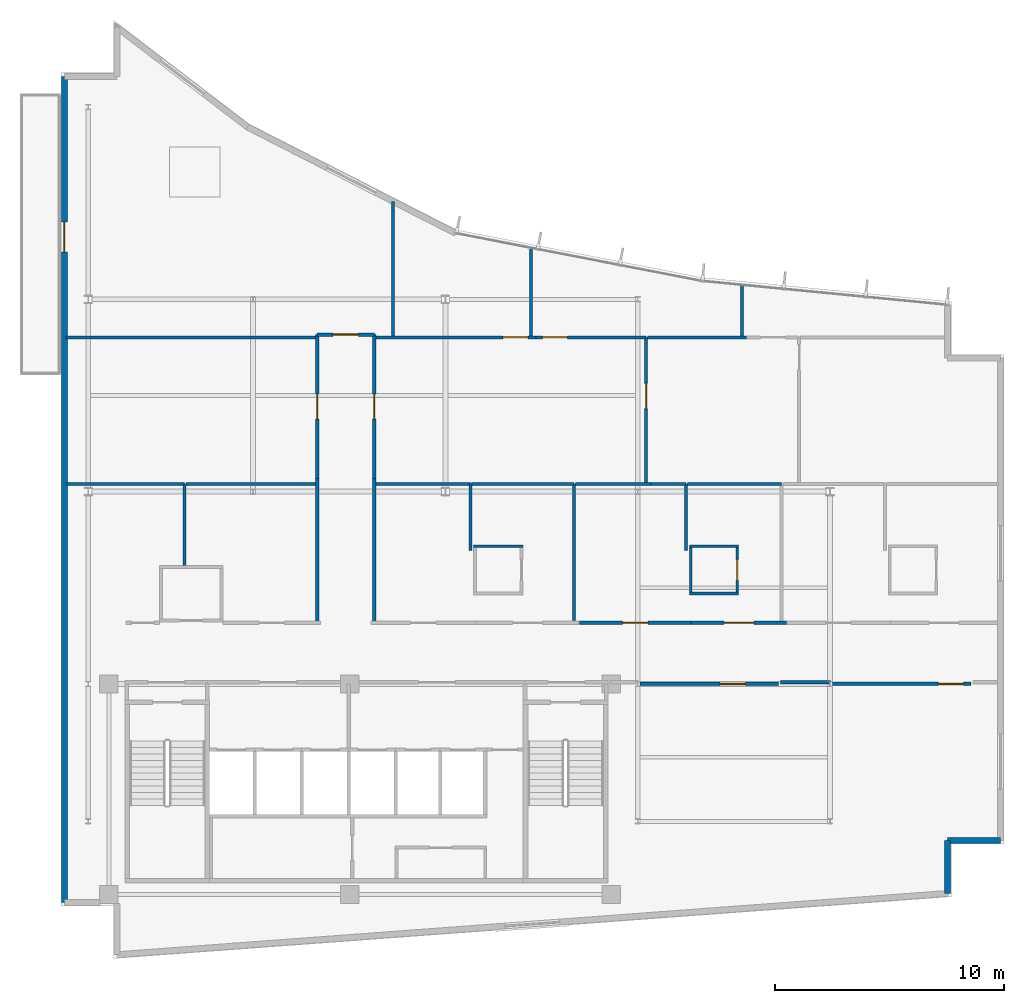
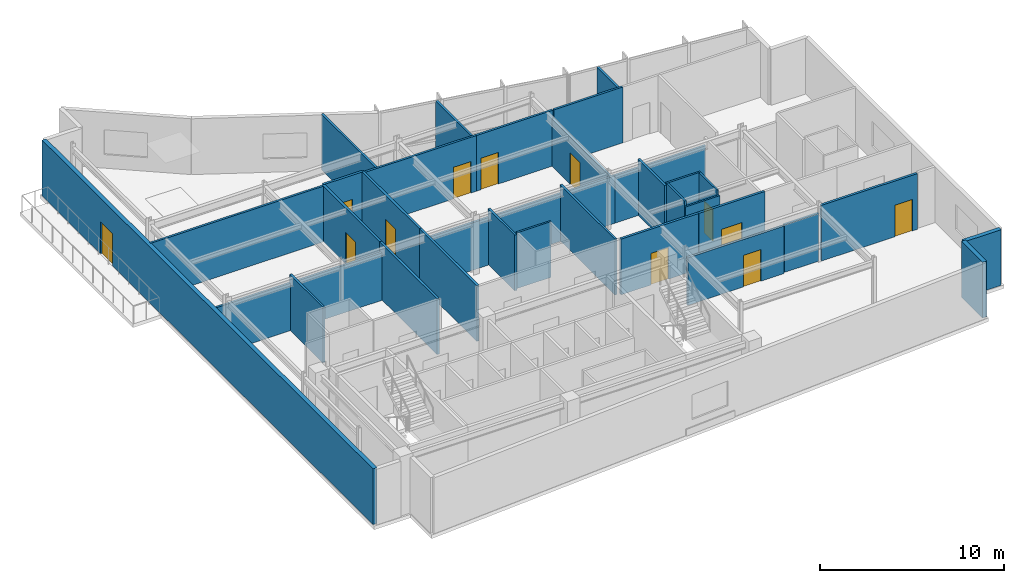
# One storey, part 11 of 15: 37 walls, 12 doors, 12 openings.
"""IFC4 building model written with IfcOpenShell, lengths in metres."""

import ifcopenshell
import ifcopenshell.guid

model = None  # the IFC model being written
_history = None  # IfcOwnerHistory: only IFC2X3 demands one
_inside = {}  # id of a spatial element -> (the spatial element, [elements in it])
_under = {}  # id of a project, library or spatial element -> (it, [spatial elements below it])
_declared = {}  # id of a project -> (the project, [libraries it declares])
_typed = {}  # id of a type object -> (the type object, [elements of that type])
_made_of = {}  # id of a material, layer set ... -> (it, [elements and type objects made of it])


def new_model(schema):
    """Start an empty IFC model of exactly this schema.

    Asked for "IFC4X3", IfcOpenShell would pick the latest addendum, in which some entities
    have other attributes; the version numbers below select the first issue.
    IFC2X3 requires an IfcOwnerHistory on every rooted entity: one is made here for all.
    """
    global model, _history
    if schema == "IFC4X3":
        model = ifcopenshell.file(schema_version=(4, 3, 0, 0))
    else:
        model = ifcopenshell.file(schema=schema)
    _inside.clear()
    _under.clear()
    _declared.clear()
    _typed.clear()
    _made_of.clear()
    _history = None
    if model.schema == "IFC2X3":
        org = make("IfcOrganization", Name="unknown")
        user = make(
            "IfcPersonAndOrganization",
            ThePerson=make("IfcPerson", FamilyName="unknown"),
            TheOrganization=org,
        )
        app = make(
            "IfcApplication",
            ApplicationDeveloper=org,
            Version="unknown",
            ApplicationFullName="unknown",
            ApplicationIdentifier="unknown",
        )
        _history = make(
            "IfcOwnerHistory",
            OwningUser=user,
            OwningApplication=app,
            ChangeAction="ADDED",
            CreationDate=0,
        )
    return model


def make(cls, **values):
    """One entity of the class cls with the attributes given. An attribute that is None is left unset."""
    return model.create_entity(
        cls, **{name: value for name, value in values.items() if value is not None}
    )


def rooted(cls, **values):
    """An entity with a GlobalId (a new one), such as an element, a storey or a relation."""
    return make(cls, GlobalId=ifcopenshell.guid.new(), OwnerHistory=_history, **values)


def si_unit(unit_type, name, prefix=None):
    """IfcSIUnit, for example si_unit("LENGTHUNIT", "METRE", prefix="MILLI")."""
    return make("IfcSIUnit", UnitType=unit_type, Prefix=prefix, Name=name)


def assignment(units):
    """IfcUnitAssignment: the units of a project."""
    return None if units is None else make("IfcUnitAssignment", Units=units)


def point(xyz):
    """IfcCartesianPoint."""
    return None if xyz is None else make("IfcCartesianPoint", Coordinates=xyz)


def direction(xyz):
    """IfcDirection."""
    return None if xyz is None else make("IfcDirection", DirectionRatios=xyz)


def frame(location, z_axis=None, x_axis=None):
    """IfcAxis2Placement3D, a coordinate frame: its origin and axes. An axis left out is left unset."""
    return make(
        "IfcAxis2Placement3D",
        Location=point(location),
        Axis=direction(z_axis),
        RefDirection=direction(x_axis),
    )


def frame_2d(location, x_axis=None):
    """IfcAxis2Placement2D, a coordinate frame in the plane: its origin and x axis."""
    return make(
        "IfcAxis2Placement2D", Location=point(location), RefDirection=direction(x_axis)
    )


def origin():
    """The frame at (0, 0, 0) with its axes left unset."""
    return frame((0.0, 0.0, 0.0))


def place(relative_to, where):
    """IfcLocalPlacement: puts the frame where relative to a parent placement (None: the world)."""
    return make(
        "IfcLocalPlacement", PlacementRelTo=relative_to, RelativePlacement=where
    )


def context(
    kind, dimensions, precision=None, world=None, true_north=None, identifier=None
):
    """IfcGeometricRepresentationContext, for example the 3D "Model" context."""
    return make(
        "IfcGeometricRepresentationContext",
        ContextIdentifier=identifier,
        ContextType=kind,
        CoordinateSpaceDimension=dimensions,
        Precision=precision,
        WorldCoordinateSystem=world,
        TrueNorth=true_north,
    )


def subcontext(parent, identifier, kind, view, scale=None):
    """IfcGeometricRepresentationSubContext, for example "Body" below "Model"."""
    return make(
        "IfcGeometricRepresentationSubContext",
        ContextIdentifier=identifier,
        ContextType=kind,
        ParentContext=parent,
        TargetScale=scale,
        TargetView=view,
    )


def project(units=None, contexts=None):
    """IfcProject with its units and contexts."""
    return rooted(
        "IfcProject",
        Name="project",
        RepresentationContexts=contexts,
        UnitsInContext=assignment(units),
    )


def spatial(cls, under=None, at=None, **own):
    """A site, building, storey or space (cls), placed at a placement, below another one or the project."""
    s = rooted(cls, ObjectPlacement=at, **own)
    if under is not None:
        _under.setdefault(under.id(), (under, []))[1].append(s)
    return s


def profile(cls, at=None, kind="AREA", **sizes):
    """A parametric profile (cls). Its sizes go by their IFC names, for example OverallWidth=200.0."""
    return make(cls, ProfileType=kind, Position=at, **sizes)


def rectangle(**sizes):
    """IfcRectangleProfileDef."""
    return profile("IfcRectangleProfileDef", **sizes)


def extrude(swept, where, along, depth):
    """IfcExtrudedAreaSolid: the profile swept, set in the frame where, extruded along a direction by depth."""
    return make(
        "IfcExtrudedAreaSolid",
        SweptArea=swept,
        Position=where,
        ExtrudedDirection=direction(along),
        Depth=depth,
    )


def shape(context_of_items, identifier, shape_type, items):
    """IfcShapeRepresentation: the items that make up one representation, for example the "Body"."""
    return make(
        "IfcShapeRepresentation",
        ContextOfItems=context_of_items,
        RepresentationIdentifier=identifier,
        RepresentationType=shape_type,
        Items=items,
    )


def material(Name=None, Category=None):
    """IfcMaterial."""
    return make("IfcMaterial", Name=Name, Category=Category)


def layer(
    of_material, thickness, ventilated=None, Name=None, Category=None, Priority=None
):
    """IfcMaterialLayer: one layer of a wall or slab, of a material (None: an air gap)."""
    return make(
        "IfcMaterialLayer",
        Material=of_material,
        LayerThickness=thickness,
        IsVentilated=ventilated,
        Name=Name,
        Category=Category,
        Priority=Priority,
    )


def layer_set(layers, Name=None):
    """IfcMaterialLayerSet."""
    return make("IfcMaterialLayerSet", MaterialLayers=layers, LayerSetName=Name)


def made_of(thing, what):
    """Note that an element or type object is made of a material, layer set ...; save() writes the relation."""
    if what is not None:
        _made_of.setdefault(what.id(), (what, []))[1].append(thing)
    return thing


def type_object(cls, material=None, **own):
    """A type object (cls), such as IfcWallType, which elements share."""
    return made_of(rooted(cls, **own), material)


def element(
    cls,
    number,
    at=None,
    inside=None,
    cuts=None,
    type_object=None,
    material=None,
    context=None,
    identifier="Body",
    shape_type=None,
    held_by="IfcProductDefinitionShape",
    body=None,
    shapes=None,
    **own,
):
    """One element of the class cls, such as IfcWall. Its Tag is "e" and its number.

    at: its placement. inside: the storey or other place that contains it. cuts: it is an
    opening in that element (IfcRelVoidsElement). A single representation is given by context,
    identifier, shape_type and body (its items); several are given by shapes. held_by: the class
    of the entity that holds the representations. save() writes the other relations.
    """
    e = rooted(cls, Tag="e%d" % number, ObjectPlacement=at, **own)
    if body is not None:
        shapes = [shape(context, identifier, shape_type, body)]
    if shapes is not None:
        e.Representation = make(held_by, Representations=shapes)
    if inside is not None:
        _inside.setdefault(inside.id(), (inside, []))[1].append(e)
    if cuts is not None:
        rooted(
            "IfcRelVoidsElement", RelatingBuildingElement=cuts, RelatedOpeningElement=e
        )
    if type_object is not None:
        _typed.setdefault(type_object.id(), (type_object, []))[1].append(e)
    return made_of(e, material)


def fill(opening, filler):
    """IfcRelFillsElement: the door or window that sits in an opening."""
    return rooted(
        "IfcRelFillsElement",
        RelatingOpeningElement=opening,
        RelatedBuildingElement=filler,
    )


def aggregate(whole, parts):
    """IfcRelAggregates: a whole, such as a stair, and the parts it consists of."""
    return rooted("IfcRelAggregates", RelatingObject=whole, RelatedObjects=parts)


def save(model, path):
    """Write the relations noted so far, then the file.

    IfcRelAggregates (storeys below a building ...), IfcRelContainedInSpatialStructure (elements
    in a storey), IfcRelDefinesByType, IfcRelAssociatesMaterial and IfcRelDeclares: one each for
    every whole, place, type object, material and project.
    """
    for whole, parts in _under.values():
        aggregate(whole, parts)
    for where, things in _inside.values():
        rooted(
            "IfcRelContainedInSpatialStructure",
            RelatedElements=things,
            RelatingStructure=where,
        )
    for kind, things in _typed.values():
        rooted("IfcRelDefinesByType", RelatedObjects=things, RelatingType=kind)
    for what, things in _made_of.values():
        rooted("IfcRelAssociatesMaterial", RelatedObjects=things, RelatingMaterial=what)
    for by, libraries in _declared.values():
        rooted("IfcRelDeclares", RelatingContext=by, RelatedDefinitions=libraries)
    model.write(path)


model = new_model("IFC4")

# Units and contexts
model_context = context("Model", 3, precision=1e-05, world=origin(), true_north=direction((0.0, 1.0)))
body_context = subcontext(model_context, "Body", "Model", "MODEL_VIEW")
ifc_project = project(units=[si_unit("LENGTHUNIT", "METRE"), si_unit("AREAUNIT", "SQUARE_METRE"), si_unit("VOLUMEUNIT", "CUBIC_METRE"), si_unit("PLANEANGLEUNIT", "RADIAN"), si_unit("MASSUNIT", "GRAM", prefix="KILO")], contexts=[model_context])

# Site, building, storey
site_placement = place(None, origin())
site = spatial("IfcSite", under=ifc_project, at=site_placement, CompositionType="ELEMENT")
building_placement = place(site_placement, origin())
building = spatial("IfcBuilding", under=site, at=building_placement, Name="Varnakote Quay Hospital", CompositionType="ELEMENT")
storey_placement = place(building_placement, frame((0.0, 0.0, 284.199951171875)))
storey = spatial("IfcBuildingStorey", under=building, at=storey_placement, Name="L70", CompositionType="ELEMENT", Elevation=284.199951171875)

# Walls
ifc_material_1 = material(Name="Fire-rated acoustic gypsum stud wall", Category="gypsum")
ifc_layer_1 = layer(ifc_material_1, 0.159912109375)
ifc_layer_set_1 = layer_set([ifc_layer_1], Name="Fire-rated acoustic gypsum stud wall")
wall_type_1 = type_object("IfcWallType", Name="WL-COMP-160", PredefinedType="PARTITIONING", material=ifc_layer_set_1)
wall_1_placement = place(storey_placement, frame((31.439208984375, 12.080078125, 0.0), z_axis=(0.0, 0.0, 1.0), x_axis=(1.0, 0.0, 0.0)))
element("IfcWall", 1, at=wall_1_placement, inside=storey, type_object=wall_type_1, Name="L70 Corridor South Gap Wall", PredefinedType="PARTITIONING", context=body_context, shape_type="SweptSolid", body=[
    extrude(rectangle(XDim=2.174072265625, YDim=0.159912109375, at=frame_2d((1.0869140625, 0.0))), origin(), (0.0, 0.0, 1.0), 3.156982421875),
])
ifc_material_2 = material(Name="Moisture-resistant bathroom partition", Category="gypsum")
ifc_layer_2 = layer(ifc_material_2, 0.114990234375)
ifc_layer_set_2 = layer_set([ifc_layer_2], Name="Moisture-resistant bathroom partition")
wall_type_2 = type_object("IfcWallType", Name="WL-ENS-115", PredefinedType="PARTITIONING", material=ifc_layer_set_2)
wall_2_placement = place(storey_placement, frame((18.034912109375, 18.017578125, 0.0), z_axis=(0.0, 0.0, 1.0), x_axis=(1.0, 0.0, 0.0)))
element("IfcWall", 2, at=wall_2_placement, inside=storey, type_object=wall_type_2, Name="L70 Inpatient En-Suite Bathroom 01 N Wall", PredefinedType="PARTITIONING", context=body_context, shape_type="SweptSolid", body=[
    extrude(rectangle(XDim=2.150146484375, YDim=0.114990234375, at=frame_2d((1.0751953125, 0.0))), origin(), (0.0, 0.0, 1.0), 3.7099609375),
])
wall_3_placement = place(storey_placement, frame((27.455078125, 15.952392578125, 0.0), z_axis=(0.0, 0.0, 1.0), x_axis=(1.0, 0.0, 0.0)))
element("IfcWall", 3, at=wall_3_placement, inside=storey, type_object=wall_type_2, Name="L70 Inpatient En-Suite Bathroom 02 S Wall", PredefinedType="PARTITIONING", context=body_context, shape_type="SweptSolid", body=[
    extrude(rectangle(XDim=2.14990234375, YDim=0.114990234375, at=frame_2d((1.074951171875, 0.0))), origin(), (0.0, 0.0, 1.0), 3.381103515625),
])
wall_4_placement = place(storey_placement, frame((27.455078125, 18.017578125, 0.0), z_axis=(0.0, 0.0, 1.0), x_axis=(1.0, 0.0, 0.0)))
element("IfcWall", 4, at=wall_4_placement, inside=storey, type_object=wall_type_2, Name="L70 Inpatient En-Suite Bathroom 02 N Wall", PredefinedType="PARTITIONING", context=body_context, shape_type="SweptSolid", body=[
    extrude(rectangle(XDim=2.14990234375, YDim=0.114990234375, at=frame_2d((1.074951171875, 0.0))), origin(), (0.0, 0.0, 1.0), 3.7099609375),
])
wall_5_placement = place(storey_placement, frame((27.512451171875, 16.010009765625, 0.0), z_axis=(0.0, 0.0, 1.0), x_axis=(0.0, 1.0, 0.0)))
element("IfcWall", 5, at=wall_5_placement, inside=storey, type_object=wall_type_2, Name="L70 Inpatient En-Suite Bathroom 02 W Wall", PredefinedType="PARTITIONING", context=body_context, shape_type="SweptSolid", body=[
    extrude(rectangle(XDim=1.949951171875, YDim=0.114990234375, at=frame_2d((0.97509765625, 0.0))), origin(), (0.0, 0.0, 1.0), 3.7099609375),
])

# Wall, opening, door
wall_6_placement = place(storey_placement, frame((29.547607421875, 16.010009765625, 0.0), z_axis=(0.0, 0.0, 1.0), x_axis=(0.0, 1.0, 0.0)))
wall_6 = element("IfcWall", 6, at=wall_6_placement, inside=storey, type_object=wall_type_2, Name="L70 Inpatient En-Suite Bathroom 02 E Wall", PredefinedType="PARTITIONING", context=body_context, shape_type="SweptSolid", body=[
    extrude(rectangle(XDim=1.949951171875, YDim=0.114990234375, at=frame_2d((0.97509765625, 0.0))), origin(), (0.0, 0.0, 1.0), 3.7099609375),
])
opening_1_placement = place(wall_6_placement, frame((0.514892578125, 0.0, 0.0)))
opening_1 = element("IfcOpeningElement", 7, at=opening_1_placement, cuts=wall_6, Name="Opening D-L70-ENS02", PredefinedType="OPENING", context=body_context, shape_type="SweptSolid", body=[
    extrude(rectangle(XDim=0.919921875, YDim=2.10009765625, at=frame_2d((0.4599609375, 1.050048828125))), frame((0.0, 0.0673828125, 0.0), z_axis=(0.0, -1.0, 0.0), x_axis=(1.0, 0.0, 0.0)), (0.0, 0.0, 1.0), 0.135009765625),
])
ifc_material_3 = material(Name="Moisture-sealed en-suite bathroom door")
door_type_1 = type_object("IfcDoorType", Name="DR-ENS-920x2100", OperationType="NOTDEFINED", PredefinedType="DOOR", material=ifc_material_3)
door_1_placement = place(opening_1_placement, origin())
door_1 = element("IfcDoor", 8, at=door_1_placement, inside=storey, type_object=door_type_1, Name="L70 Inpatient En-Suite Bathroom 02 Door", OperationType="SINGLE_SWING_RIGHT", OverallHeight=2.10009765625, OverallWidth=0.919921875, PredefinedType="DOOR", context=body_context, shape_type="SweptSolid", body=[
    extrude(rectangle(XDim=0.919921875, YDim=2.10009765625, at=frame_2d((0.4599609375, 1.050048828125))), frame((0.0, 0.02490234375, 0.0), z_axis=(0.0, -1.0, 0.0), x_axis=(1.0, 0.0, 0.0)), (0.0, 0.0, 1.0), 0.050048828125),
])
fill(opening_1, door_1)

# Walls
ifc_material_4 = material(Name="Precast concrete N50 (f'c 50 MPa)", Category="concrete")
ifc_layer_3 = layer(ifc_material_4, 0.260009765625)
ifc_layer_set_3 = layer_set([ifc_layer_3], Name="Precast concrete N50 (f'c 50 MPa)")
wall_type_3 = type_object("IfcWallType", Name="WL-EXT-BRICK-260", PredefinedType="STANDARD", material=ifc_layer_set_3)
wall_7_placement = place(storey_placement, frame((38.739990234375, 2.8486328125, 0.0), z_axis=(0.0, 0.0, 1.0), x_axis=(0.0, 1.0, 0.0)))
element("IfcWall", 9, at=wall_7_placement, inside=storey, type_object=wall_type_3, Name="L70 Brick-Faced Precast Exterior Wall", PredefinedType="STANDARD", context=body_context, shape_type="SweptSolid", body=[
    extrude(rectangle(XDim=2.311279296875, YDim=0.260009765625, at=frame_2d((1.15576171875, 0.0))), origin(), (0.0, 0.0, 1.0), 3.7099609375),
])
wall_8_placement = place(storey_placement, frame((38.739990234375, 5.159912109375, 0.0), z_axis=(0.0, 0.0, 1.0), x_axis=(1.0, 0.0, 0.0)))
element("IfcWall", 10, at=wall_8_placement, inside=storey, type_object=wall_type_3, Name="L70 Brick-Faced Precast Exterior Wall", PredefinedType="STANDARD", context=body_context, shape_type="SweptSolid", body=[
    extrude(rectangle(XDim=2.300048828125, YDim=0.260009765625, at=frame_2d((1.14990234375, 0.0))), origin(), (0.0, 0.0, 1.0), 3.7099609375),
])

# Wall, opening, door
wall_9_placement = place(storey_placement, frame((0.159912109375, 38.5400390625, 0.0), z_axis=(0.0, 0.0, 1.0), x_axis=(0.0, -1.0, 0.0)))
wall_9 = element("IfcWall", 11, at=wall_9_placement, inside=storey, type_object=wall_type_3, Name="L70 Healing Terrace Portal Brick Wall", PredefinedType="STANDARD", context=body_context, shape_type="SweptSolid", body=[
    extrude(rectangle(XDim=36.080078125, YDim=0.260009765625, at=frame_2d((18.0400390625, 0.0))), origin(), (0.0, 0.0, 1.0), 3.7099609375),
])
opening_2_placement = place(wall_9_placement, frame((6.365478515625, 0.0, 0.0)))
opening_2 = element("IfcOpeningElement", 12, at=opening_2_placement, cuts=wall_9, Name="Opening DT-L70", PredefinedType="OPENING", context=body_context, shape_type="SweptSolid", body=[
    extrude(rectangle(XDim=1.300048828125, YDim=2.14990234375, at=frame_2d((0.64990234375, 1.074951171875))), frame((0.0, 0.139892578125, 0.0), z_axis=(0.0, -1.0, 0.0), x_axis=(1.0, 0.0, 0.0)), (0.0, 0.0, 1.0), 0.280029296875),
])
ifc_material_5 = material(Name="Anodised aluminium glazed terrace door", Category="aluminium")
door_type_2 = type_object("IfcDoorType", Name="DR-EXT-TERR-1300x2150", OperationType="NOTDEFINED", PredefinedType="DOOR", material=ifc_material_5)
door_2_placement = place(opening_2_placement, origin())
door_2 = element("IfcDoor", 13, at=door_2_placement, inside=storey, type_object=door_type_2, Name="L70 Waterfront Healing Terrace Door", OperationType="SINGLE_SWING_LEFT", OverallHeight=2.14990234375, OverallWidth=1.300048828125, PredefinedType="DOOR", context=body_context, shape_type="SweptSolid", body=[
    extrude(rectangle(XDim=1.300048828125, YDim=2.14990234375, at=frame_2d((0.64990234375, 1.074951171875))), frame((0.0, 0.02490234375, 0.0), z_axis=(0.0, -1.0, 0.0), x_axis=(1.0, 0.0, 0.0)), (0.0, 0.0, 1.0), 0.050048828125),
])
fill(opening_2, door_2)

# Walls
ifc_material_6 = material(Name="Smoke-proof clinical partition", Category="gypsum")
ifc_layer_4 = layer(ifc_material_6, 0.135009765625)
ifc_layer_set_4 = layer_set([ifc_layer_4], Name="Smoke-proof clinical partition")
wall_type_4 = type_object("IfcWallType", Name="WL-SMOKE-135", PredefinedType="PARTITIONING", material=ifc_layer_set_4)
wall_10_placement = place(storey_placement, frame((5.409912109375, 17.139892578125, 0.0), z_axis=(0.0, 0.0, 1.0), x_axis=(0.0, 1.0, 0.0)))
element("IfcWall", 14, at=wall_10_placement, inside=storey, type_object=wall_type_4, Name="L70 Clinical Interior Partition", PredefinedType="PARTITIONING", context=body_context, shape_type="SweptSolid", body=[
    extrude(rectangle(XDim=3.60009765625, YDim=0.135009765625, at=frame_2d((1.800048828125, 0.0))), origin(), (0.0, 0.0, 1.0), 3.7099609375),
])
wall_11_placement = place(storey_placement, frame((5.409912109375, 20.739990234375, 0.0), z_axis=(0.0, 0.0, 1.0), x_axis=(-1.0, 0.0, 0.0)))
element("IfcWall", 15, at=wall_11_placement, inside=storey, type_object=wall_type_4, Name="L70 Clinical Interior Partition", PredefinedType="PARTITIONING", context=body_context, shape_type="SweptSolid", body=[
    extrude(rectangle(XDim=5.169921875, YDim=0.135009765625, at=frame_2d((2.5849609375, 0.0))), origin(), (0.0, 0.0, 1.0), 3.156982421875),
])
wall_12_placement = place(storey_placement, frame((11.1201171875, 20.739990234375, 0.0), z_axis=(0.0, 0.0, 1.0), x_axis=(-1.0, 0.0, 0.0)))
element("IfcWall", 16, at=wall_12_placement, inside=storey, type_object=wall_type_4, Name="L70 Clinical Interior Partition", PredefinedType="PARTITIONING", context=body_context, shape_type="SweptSolid", body=[
    extrude(rectangle(XDim=5.652587890625, YDim=0.135009765625, at=frame_2d((2.826171875, 0.0))), origin(), (0.0, 0.0, 1.0), 3.156982421875),
])
wall_13_placement = place(storey_placement, frame((17.889892578125, 17.83251953125, 0.0), z_axis=(0.0, 0.0, 1.0), x_axis=(0.0, 1.0, 0.0)))
element("IfcWall", 17, at=wall_13_placement, inside=storey, type_object=wall_type_4, Name="L70 Clinical Interior Partition", PredefinedType="PARTITIONING", context=body_context, shape_type="SweptSolid", body=[
    extrude(rectangle(XDim=2.907470703125, YDim=0.135009765625, at=frame_2d((1.45361328125, 0.0))), origin(), (0.0, 0.0, 1.0), 3.7099609375),
])
wall_14_placement = place(storey_placement, frame((17.889892578125, 20.739990234375, 0.0), z_axis=(0.0, 0.0, 1.0), x_axis=(-1.0, 0.0, 0.0)))
element("IfcWall", 18, at=wall_14_placement, inside=storey, type_object=wall_type_4, Name="L70 Clinical Interior Partition", PredefinedType="PARTITIONING", context=body_context, shape_type="SweptSolid", body=[
    extrude(rectangle(XDim=4.10986328125, YDim=0.135009765625, at=frame_2d((2.054931640625, 0.0))), origin(), (0.0, 0.0, 1.0), 3.156982421875),
])
wall_15_placement = place(storey_placement, frame((22.419921875, 14.760009765625, 0.0), z_axis=(0.0, 0.0, 1.0), x_axis=(0.0, 1.0, 0.0)))
element("IfcWall", 19, at=wall_15_placement, inside=storey, type_object=wall_type_4, Name="L70 Clinical Interior Partition", PredefinedType="PARTITIONING", context=body_context, shape_type="SweptSolid", body=[
    extrude(rectangle(XDim=5.97998046875, YDim=0.135009765625, at=frame_2d((2.989990234375, 0.0))), origin(), (0.0, 0.0, 1.0), 3.7099609375),
])
wall_16_placement = place(storey_placement, frame((22.419921875, 20.739990234375, 0.0), z_axis=(0.0, 0.0, 1.0), x_axis=(-1.0, 0.0, 0.0)))
element("IfcWall", 20, at=wall_16_placement, inside=storey, type_object=wall_type_4, Name="L70 Clinical Interior Partition", PredefinedType="PARTITIONING", context=body_context, shape_type="SweptSolid", body=[
    extrude(rectangle(XDim=4.472412109375, YDim=0.135009765625, at=frame_2d((2.236328125, 0.0))), origin(), (0.0, 0.0, 1.0), 3.156982421875),
])
wall_17_placement = place(storey_placement, frame((27.31005859375, 17.83251953125, 0.0), z_axis=(0.0, 0.0, 1.0), x_axis=(0.0, 1.0, 0.0)))
element("IfcWall", 21, at=wall_17_placement, inside=storey, type_object=wall_type_4, Name="L70 Clinical Interior Partition", PredefinedType="PARTITIONING", context=body_context, shape_type="SweptSolid", body=[
    extrude(rectangle(XDim=2.907470703125, YDim=0.135009765625, at=frame_2d((1.45361328125, 0.0))), origin(), (0.0, 0.0, 1.0), 3.7099609375),
])
wall_18_placement = place(storey_placement, frame((25.777587890625, 20.739990234375, 0.0), z_axis=(0.0, 0.0, 1.0), x_axis=(-1.0, 0.0, 0.0)))
element("IfcWall", 22, at=wall_18_placement, inside=storey, type_object=wall_type_4, Name="L70 Clinical Interior Partition", PredefinedType="PARTITIONING", context=body_context, shape_type="SweptSolid", body=[
    extrude(rectangle(XDim=3.300048828125, YDim=0.135009765625, at=frame_2d((1.64990234375, 0.0))), origin(), (0.0, 0.0, 1.0), 3.156982421875),
])
wall_19_placement = place(storey_placement, frame((27.31005859375, 20.739990234375, 0.0), z_axis=(0.0, 0.0, 1.0), x_axis=(-1.0, 0.0, 0.0)))
element("IfcWall", 23, at=wall_19_placement, inside=storey, type_object=wall_type_4, Name="L70 Clinical Interior Partition", PredefinedType="PARTITIONING", context=body_context, shape_type="SweptSolid", body=[
    extrude(rectangle(XDim=1.530517578125, YDim=0.135009765625, at=frame_2d((0.76513671875, 0.0))), origin(), (0.0, 0.0, 1.0), 3.156982421875),
])
wall_20_placement = place(storey_placement, frame((31.47998046875, 20.739990234375, 0.0), z_axis=(0.0, 0.0, 1.0), x_axis=(-1.0, 0.0, 0.0)))
element("IfcWall", 24, at=wall_20_placement, inside=storey, type_object=wall_type_4, Name="L70 Clinical Interior Partition", PredefinedType="PARTITIONING", context=body_context, shape_type="SweptSolid", body=[
    extrude(rectangle(XDim=4.112548828125, YDim=0.135009765625, at=frame_2d((2.05615234375, 0.0))), origin(), (0.0, 0.0, 1.0), 3.156982421875),
])
wall_21_placement = place(storey_placement, frame((11.1201171875, 27.139892578125, 0.0), z_axis=(0.0, 0.0, 1.0), x_axis=(-1.0, 0.0, 0.0)))
element("IfcWall", 25, at=wall_21_placement, inside=storey, type_object=wall_type_4, Name="L70 Clinical Interior Partition", PredefinedType="PARTITIONING", context=body_context, shape_type="SweptSolid", body=[
    extrude(rectangle(XDim=10.880126953125, YDim=0.135009765625, at=frame_2d((5.43994140625, 0.0))), origin(), (0.0, 0.0, 1.0), 3.7099609375),
])

# Wall, opening, door
wall_22_placement = place(storey_placement, frame((25.570068359375, 20.797607421875, 0.0), z_axis=(0.0, 0.0, 1.0), x_axis=(0.0, 1.0, 0.0)))
wall_22 = element("IfcWall", 26, at=wall_22_placement, inside=storey, type_object=wall_type_4, Name="L70 Clinical Interior Partition", PredefinedType="PARTITIONING", context=body_context, shape_type="SweptSolid", body=[
    extrude(rectangle(XDim=6.34228515625, YDim=0.135009765625, at=frame_2d((3.171142578125, 0.0))), origin(), (0.0, 0.0, 1.0), 3.156982421875),
])
opening_3_placement = place(wall_22_placement, frame((3.2265625, 0.0, 0.0)))
opening_3 = element("IfcOpeningElement", 27, at=opening_3_placement, cuts=wall_22, Name="Opening D-L70-MD07", PredefinedType="OPENING", context=body_context, shape_type="SweptSolid", body=[
    extrude(rectangle(XDim=1.10009765625, YDim=2.10009765625, at=frame_2d((0.550048828125, 1.050048828125))), frame((0.0, 0.077392578125, 0.0), z_axis=(0.0, -1.0, 0.0), x_axis=(1.0, 0.0, 0.0)), (0.0, 0.0, 1.0), 0.155029296875),
])
ifc_material_7 = material(Name="Acoustic timber clinical consult door", Category="wood")
door_type_3 = type_object("IfcDoorType", Name="DR-CLIN-FD30S-1100x2100", OperationType="NOTDEFINED", PredefinedType="DOOR", material=ifc_material_7)
door_3_placement = place(opening_3_placement, origin())
door_3 = element("IfcDoor", 28, at=door_3_placement, inside=storey, type_object=door_type_3, Name="L70 Ward Dietetics Pantry Door", OperationType="SINGLE_SWING_LEFT", OverallHeight=2.10009765625, OverallWidth=1.10009765625, PredefinedType="DOOR", context=body_context, shape_type="SweptSolid", body=[
    extrude(rectangle(XDim=1.10009765625, YDim=2.10009765625, at=frame_2d((0.550048828125, 1.050048828125))), frame((0.0, 0.02490234375, 0.0), z_axis=(0.0, -1.0, 0.0), x_axis=(1.0, 0.0, 0.0)), (0.0, 0.0, 1.0), 0.050048828125),
])
fill(opening_3, door_3)

wall_23_placement = place(storey_placement, frame((20.74755859375, 27.139892578125, 0.0), z_axis=(0.0, 0.0, 1.0), x_axis=(-1.0, 0.0, 0.0)))
wall_23 = element("IfcWall", 29, at=wall_23_placement, inside=storey, type_object=wall_type_4, Name="L70 Clinical Interior Partition", PredefinedType="PARTITIONING", context=body_context, shape_type="SweptSolid", body=[
    extrude(rectangle(XDim=6.982666015625, YDim=0.135009765625, at=frame_2d((3.4912109375, 0.0))), origin(), (0.0, 0.0, 1.0), 3.7099609375),
])
opening_4_placement = place(wall_23_placement, frame((0.337158203125, 0.0, 0.0)))
opening_4 = element("IfcOpeningElement", 30, at=opening_4_placement, cuts=wall_23, Name="Opening D-L70-MD10", PredefinedType="OPENING", context=body_context, shape_type="SweptSolid", body=[
    extrude(rectangle(XDim=1.10009765625, YDim=2.10009765625, at=frame_2d((0.550048828125, 1.050048828125))), frame((0.0, 0.077392578125, 0.0), z_axis=(0.0, -1.0, 0.0), x_axis=(1.0, 0.0, 0.0)), (0.0, 0.0, 1.0), 0.155029296875),
])
door_4_placement = place(opening_4_placement, origin())
door_4 = element("IfcDoor", 31, at=door_4_placement, inside=storey, type_object=door_type_3, Name="L70 Multidisciplinary Clinical Consultation Suite Door", OperationType="SINGLE_SWING_RIGHT", OverallHeight=2.10009765625, OverallWidth=1.10009765625, PredefinedType="DOOR", context=body_context, shape_type="SweptSolid", body=[
    extrude(rectangle(XDim=1.10009765625, YDim=2.10009765625, at=frame_2d((0.550048828125, 1.050048828125))), frame((0.0, 0.02490234375, 0.0), z_axis=(0.0, -1.0, 0.0), x_axis=(1.0, 0.0, 0.0)), (0.0, 0.0, 1.0), 0.050048828125),
])
fill(opening_4, door_4)

wall_24_placement = place(storey_placement, frame((25.570068359375, 27.139892578125, 0.0), z_axis=(0.0, 0.0, 1.0), x_axis=(-1.0, 0.0, 0.0)))
wall_24 = element("IfcWall", 32, at=wall_24_placement, inside=storey, type_object=wall_type_4, Name="L70 Clinical Interior Partition", PredefinedType="PARTITIONING", context=body_context, shape_type="SweptSolid", body=[
    extrude(rectangle(XDim=4.820556640625, YDim=0.135009765625, at=frame_2d((2.41015625, 0.0))), origin(), (0.0, 0.0, 1.0), 3.7099609375),
])
opening_5_placement = place(wall_24_placement, frame((3.4375, 0.0, 0.0)))
opening_5 = element("IfcOpeningElement", 33, at=opening_5_placement, cuts=wall_24, Name="Opening D-L70-MD11", PredefinedType="OPENING", context=body_context, shape_type="SweptSolid", body=[
    extrude(rectangle(XDim=1.10009765625, YDim=2.10009765625, at=frame_2d((0.550048828125, 1.050048828125))), frame((0.0, 0.077392578125, 0.0), z_axis=(0.0, -1.0, 0.0), x_axis=(1.0, 0.0, 0.0)), (0.0, 0.0, 1.0), 0.155029296875),
])
door_5_placement = place(opening_5_placement, origin())
door_5 = element("IfcDoor", 34, at=door_5_placement, inside=storey, type_object=door_type_3, Name="L70 Ward Dietetics Pantry Door", OperationType="SINGLE_SWING_LEFT", OverallHeight=2.10009765625, OverallWidth=1.10009765625, PredefinedType="DOOR", context=body_context, shape_type="SweptSolid", body=[
    extrude(rectangle(XDim=1.10009765625, YDim=2.10009765625, at=frame_2d((0.550048828125, 1.050048828125))), frame((0.0, 0.02490234375, 0.0), z_axis=(0.0, -1.0, 0.0), x_axis=(1.0, 0.0, 0.0)), (0.0, 0.0, 1.0), 0.050048828125),
])
fill(opening_5, door_5)

# Walls
wall_25_placement = place(storey_placement, frame((29.95751953125, 27.139892578125, 0.0), z_axis=(0.0, 0.0, 1.0), x_axis=(-1.0, 0.0, 0.0)))
element("IfcWall", 35, at=wall_25_placement, inside=storey, type_object=wall_type_4, Name="L70 Clinical Interior Partition", PredefinedType="PARTITIONING", context=body_context, shape_type="SweptSolid", body=[
    extrude(rectangle(XDim=4.330078125, YDim=0.135009765625, at=frame_2d((2.1650390625, 0.0))), origin(), (0.0, 0.0, 1.0), 3.7099609375),
])
wall_26_placement = place(storey_placement, frame((14.52001953125, 27.197509765625, 0.0), z_axis=(0.0, 0.0, 1.0), x_axis=(0.0, 1.0, 0.0)))
element("IfcWall", 36, at=wall_26_placement, inside=storey, type_object=wall_type_4, Name="L70 Clinical Interior Partition", PredefinedType="PARTITIONING", context=body_context, shape_type="SweptSolid", body=[
    extrude(rectangle(XDim=5.877685546875, YDim=0.135009765625, at=frame_2d((2.93896484375, 0.0))), origin(), (0.0, 0.0, 1.0), 3.7099609375),
])
wall_27_placement = place(storey_placement, frame((20.5400390625, 27.197509765625, 0.0), z_axis=(0.0, 0.0, 1.0), x_axis=(0.0, 1.0, 0.0)))
element("IfcWall", 37, at=wall_27_placement, inside=storey, type_object=wall_type_4, Name="L70 Clinical Interior Partition", PredefinedType="PARTITIONING", context=body_context, shape_type="SweptSolid", body=[
    extrude(rectangle(XDim=3.845703125, YDim=0.135009765625, at=frame_2d((1.9228515625, 0.0))), origin(), (0.0, 0.0, 1.0), 3.7099609375),
])
wall_28_placement = place(storey_placement, frame((29.75, 27.197509765625, 0.0), z_axis=(0.0, 0.0, 1.0), x_axis=(0.0, 1.0, 0.0)))
element("IfcWall", 38, at=wall_28_placement, inside=storey, type_object=wall_type_4, Name="L70 Clinical Interior Partition", PredefinedType="PARTITIONING", context=body_context, shape_type="SweptSolid", body=[
    extrude(rectangle(XDim=2.2294921875, YDim=0.135009765625, at=frame_2d((1.11474609375, 0.0))), origin(), (0.0, 0.0, 1.0), 3.7099609375),
])

# Wall, opening, door
ifc_material_8 = material(Name="Fire-rated clinical gypsum partition", Category="gypsum")
ifc_layer_5 = layer(ifc_material_8, 0.14990234375)
ifc_layer_set_5 = layer_set([ifc_layer_5], Name="Fire-rated clinical gypsum partition")
wall_type_5 = type_object("IfcWallType", Name="WL-WARD-150", PredefinedType="PARTITIONING", material=ifc_layer_set_5)
wall_29_placement = place(storey_placement, frame((31.35009765625, 12.0, 0.0), z_axis=(0.0, 0.0, 1.0), x_axis=(-1.0, 0.0, 0.0)))
wall_29 = element("IfcWall", 39, at=wall_29_placement, inside=storey, type_object=wall_type_5, Name="L70 Clinical Interior Partition", PredefinedType="PARTITIONING", context=body_context, shape_type="SweptSolid", body=[
    extrude(rectangle(XDim=6.047607421875, YDim=0.14990234375, at=frame_2d((3.02392578125, 0.0))), origin(), (0.0, 0.0, 1.0), 3.156982421875),
])
opening_6_placement = place(wall_29_placement, frame((1.45068359375, 0.0, 0.0)))
opening_6 = element("IfcOpeningElement", 40, at=opening_6_placement, cuts=wall_29, Name="Opening D-L70-RL1", PredefinedType="OPENING", context=body_context, shape_type="SweptSolid", body=[
    extrude(rectangle(XDim=1.10009765625, YDim=2.10009765625, at=frame_2d((0.550048828125, 1.050048828125))), frame((0.0, 0.0849609375, 0.0), z_axis=(0.0, -1.0, 0.0), x_axis=(1.0, 0.0, 0.0)), (0.0, 0.0, 1.0), 0.169921875),
])
door_6_placement = place(opening_6_placement, origin())
door_6 = element("IfcDoor", 41, at=door_6_placement, inside=storey, type_object=door_type_3, Name="L70 Day Infusion Treatment Suite Door", OperationType="SINGLE_SWING_RIGHT", OverallHeight=2.10009765625, OverallWidth=1.10009765625, PredefinedType="DOOR", context=body_context, shape_type="SweptSolid", body=[
    extrude(rectangle(XDim=1.10009765625, YDim=2.10009765625, at=frame_2d((0.550048828125, 1.050048828125))), frame((0.0, 0.02490234375, 0.0), z_axis=(0.0, -1.0, 0.0), x_axis=(1.0, 0.0, 0.0)), (0.0, 0.0, 1.0), 0.050048828125),
])
fill(opening_6, door_6)

wall_30_placement = place(storey_placement, frame((39.75, 12.0, 0.0), z_axis=(0.0, 0.0, 1.0), x_axis=(-1.0, 0.0, 0.0)))
wall_30 = element("IfcWall", 42, at=wall_30_placement, inside=storey, type_object=wall_type_5, Name="L70 Clinical Interior Partition", PredefinedType="PARTITIONING", context=body_context, shape_type="SweptSolid", body=[
    extrude(rectangle(XDim=6.047607421875, YDim=0.14990234375, at=frame_2d((3.02392578125, 0.0))), origin(), (0.0, 0.0, 1.0), 3.7099609375),
])
opening_7_placement = place(wall_30_placement, frame((0.313720703125, 0.0, 0.0)))
opening_7 = element("IfcOpeningElement", 43, at=opening_7_placement, cuts=wall_30, Name="Opening D-L70-RM1", PredefinedType="OPENING", context=body_context, shape_type="SweptSolid", body=[
    extrude(rectangle(XDim=1.10009765625, YDim=2.10009765625, at=frame_2d((0.550048828125, 1.050048828125))), frame((0.0, 0.0849609375, 0.0), z_axis=(0.0, -1.0, 0.0), x_axis=(1.0, 0.0, 0.0)), (0.0, 0.0, 1.0), 0.169921875),
])
door_7_placement = place(opening_7_placement, origin())
door_7 = element("IfcDoor", 44, at=door_7_placement, inside=storey, type_object=door_type_3, Name="L70 Cardiac Telemetry Treatment Suite Door", OperationType="SINGLE_SWING_LEFT", OverallHeight=2.10009765625, OverallWidth=1.10009765625, PredefinedType="DOOR", context=body_context, shape_type="SweptSolid", body=[
    extrude(rectangle(XDim=1.10009765625, YDim=2.10009765625, at=frame_2d((0.550048828125, 1.050048828125))), frame((0.0, 0.02490234375, 0.0), z_axis=(0.0, -1.0, 0.0), x_axis=(1.0, 0.0, 0.0)), (0.0, 0.0, 1.0), 0.050048828125),
])
fill(opening_7, door_7)

wall_31_placement = place(storey_placement, frame((27.535888671875, 14.679931640625, 0.0), z_axis=(0.0, 0.0, 1.0), x_axis=(-1.0, 0.0, 0.0)))
wall_31 = element("IfcWall", 45, at=wall_31_placement, inside=storey, type_object=wall_type_5, Name="L70 Clinical Interior Partition", PredefinedType="PARTITIONING", context=body_context, shape_type="SweptSolid", body=[
    extrude(rectangle(XDim=4.887939453125, YDim=0.14990234375, at=frame_2d((2.44384765625, 0.0))), origin(), (0.0, 0.0, 1.0), 3.7099609375),
])
opening_8_placement = place(wall_31_placement, frame((1.89404296875, 0.0, 0.0)))
opening_8 = element("IfcOpeningElement", 46, at=opening_8_placement, cuts=wall_31, Name="Opening D-L70-MD04", PredefinedType="OPENING", context=body_context, shape_type="SweptSolid", body=[
    extrude(rectangle(XDim=1.10009765625, YDim=2.10009765625, at=frame_2d((0.550048828125, 1.050048828125))), frame((0.0, 0.0849609375, 0.0), z_axis=(0.0, -1.0, 0.0), x_axis=(1.0, 0.0, 0.0)), (0.0, 0.0, 1.0), 0.169921875),
])
door_8_placement = place(opening_8_placement, origin())
door_8 = element("IfcDoor", 47, at=door_8_placement, inside=storey, type_object=door_type_3, Name="L70 Rehab Specialist Office Door", OperationType="SINGLE_SWING_RIGHT", OverallHeight=2.10009765625, OverallWidth=1.10009765625, PredefinedType="DOOR", context=body_context, shape_type="SweptSolid", body=[
    extrude(rectangle(XDim=1.10009765625, YDim=2.10009765625, at=frame_2d((0.550048828125, 1.050048828125))), frame((0.0, 0.02490234375, 0.0), z_axis=(0.0, -1.0, 0.0), x_axis=(1.0, 0.0, 0.0)), (0.0, 0.0, 1.0), 0.050048828125),
])
fill(opening_8, door_8)

wall_32_placement = place(storey_placement, frame((31.7060546875, 14.679931640625, 0.0), z_axis=(0.0, 0.0, 1.0), x_axis=(-1.0, 0.0, 0.0)))
wall_32 = element("IfcWall", 48, at=wall_32_placement, inside=storey, type_object=wall_type_5, Name="L70 Clinical Interior Partition", PredefinedType="PARTITIONING", context=body_context, shape_type="SweptSolid", body=[
    extrude(rectangle(XDim=4.16796875, YDim=0.14990234375, at=frame_2d((2.083984375, 0.0))), origin(), (0.0, 0.0, 1.0), 3.7099609375),
])
opening_9_placement = place(wall_32_placement, frame((1.43408203125, 0.0, 0.0)))
opening_9 = element("IfcOpeningElement", 49, at=opening_9_placement, cuts=wall_32, Name="Opening D-L70-BR02", PredefinedType="OPENING", context=body_context, shape_type="SweptSolid", body=[
    extrude(rectangle(XDim=1.300048828125, YDim=2.14990234375, at=frame_2d((0.64990234375, 1.074951171875))), frame((0.0, 0.0849609375, 0.0), z_axis=(0.0, -1.0, 0.0), x_axis=(1.0, 0.0, 0.0)), (0.0, 0.0, 1.0), 0.169921875),
])
ifc_material_9 = material(Name="Solid-core timber clinical bed door", Category="wood")
door_type_4 = type_object("IfcDoorType", Name="DR-WARD-FD30S-1300x2150", OperationType="NOTDEFINED", PredefinedType="DOOR", material=ifc_material_9)
door_9_placement = place(opening_9_placement, origin())
door_9 = element("IfcDoor", 50, at=door_9_placement, inside=storey, type_object=door_type_4, Name="L70 Resident Care Bedroom 02 Door", OperationType="SINGLE_SWING_LEFT", OverallHeight=2.14990234375, OverallWidth=1.300048828125, PredefinedType="DOOR", context=body_context, shape_type="SweptSolid", body=[
    extrude(rectangle(XDim=1.300048828125, YDim=2.14990234375, at=frame_2d((0.64990234375, 1.074951171875))), frame((0.0, 0.02490234375, 0.0), z_axis=(0.0, -1.0, 0.0), x_axis=(1.0, 0.0, 0.0)), (0.0, 0.0, 1.0), 0.050048828125),
])
fill(opening_9, door_9)

# Walls
for number, where, z_axis, x_axis, name in (
    (51, (11.199951171875, 20.966064453125, 0.0), (0.0, 0.0, 1.0), (0.0, -1.0, 0.0), "L70 Clinical Interior Partition"),
    (52, (13.699951171875, 14.699951171875, 0.0), (0.0, 0.0, 1.0), (0.0, 1.0, 0.0), "L70 Clinical Interior Partition"),
):
    element("IfcWall", number, at=place(storey_placement, frame(where, z_axis=z_axis, x_axis=x_axis)), inside=storey, type_object=wall_type_5, Name=name, PredefinedType="PARTITIONING", context=body_context, shape_type="SweptSolid", body=[
        extrude(rectangle(XDim=6.26611328125, YDim=0.14990234375, at=frame_2d((3.133056640625, 0.0))), origin(), (0.0, 0.0, 1.0), 3.7099609375),
    ])

# Wall, opening, door
wall_33_placement = place(storey_placement, frame((11.199951171875, 27.260009765625, 0.0), z_axis=(0.0, 0.0, 1.0), x_axis=(0.0, -1.0, 0.0)))
wall_33 = element("IfcWall", 53, at=wall_33_placement, inside=storey, type_object=wall_type_5, Name="L70 Clinical Interior Partition", PredefinedType="PARTITIONING", context=body_context, shape_type="SweptSolid", body=[
    extrude(rectangle(XDim=6.2919921875, YDim=0.14990234375, at=frame_2d((3.14599609375, 0.0))), origin(), (0.0, 0.0, 1.0), 3.7099609375),
])
opening_10_placement = place(wall_33_placement, frame((2.595947265625, 0.0, 0.0)))
opening_10 = element("IfcOpeningElement", 54, at=opening_10_placement, cuts=wall_33, Name="Opening D-L70-DLNG", PredefinedType="OPENING", context=body_context, shape_type="SweptSolid", body=[
    extrude(rectangle(XDim=1.10009765625, YDim=2.10009765625, at=frame_2d((0.550048828125, 1.050048828125))), frame((0.0, 0.0849609375, 0.0), z_axis=(0.0, -1.0, 0.0), x_axis=(1.0, 0.0, 0.0)), (0.0, 0.0, 1.0), 0.169921875),
])
door_10_placement = place(opening_10_placement, origin())
door_10 = element("IfcDoor", 55, at=door_10_placement, inside=storey, type_object=door_type_3, Name="L70 Waterfront Patient & Family Dayroom Door", OperationType="SINGLE_SWING_RIGHT", OverallHeight=2.10009765625, OverallWidth=1.10009765625, PredefinedType="DOOR", context=body_context, shape_type="SweptSolid", body=[
    extrude(rectangle(XDim=1.10009765625, YDim=2.10009765625, at=frame_2d((0.550048828125, 1.050048828125))), frame((0.0, 0.02490234375, 0.0), z_axis=(0.0, -1.0, 0.0), x_axis=(1.0, 0.0, 0.0)), (0.0, 0.0, 1.0), 0.050048828125),
])
fill(opening_10, door_10)

wall_34_placement = place(storey_placement, frame((13.699951171875, 20.968017578125, 0.0), z_axis=(0.0, 0.0, 1.0), x_axis=(0.0, 1.0, 0.0)))
wall_34 = element("IfcWall", 56, at=wall_34_placement, inside=storey, type_object=wall_type_5, Name="L70 Clinical Interior Partition", PredefinedType="PARTITIONING", context=body_context, shape_type="SweptSolid", body=[
    extrude(rectangle(XDim=6.2919921875, YDim=0.14990234375, at=frame_2d((3.14599609375, 0.0))), origin(), (0.0, 0.0, 1.0), 3.7099609375),
])
opening_11_placement = place(wall_34_placement, frame((2.595947265625, 0.0, 0.0)))
opening_11 = element("IfcOpeningElement", 57, at=opening_11_placement, cuts=wall_34, Name="Opening D-L70-MD06", PredefinedType="OPENING", context=body_context, shape_type="SweptSolid", body=[
    extrude(rectangle(XDim=1.10009765625, YDim=2.10009765625, at=frame_2d((0.550048828125, 1.050048828125))), frame((0.0, 0.0849609375, 0.0), z_axis=(0.0, -1.0, 0.0), x_axis=(1.0, 0.0, 0.0)), (0.0, 0.0, 1.0), 0.169921875),
])
door_11_placement = place(opening_11_placement, origin())
door_11 = element("IfcDoor", 58, at=door_11_placement, inside=storey, type_object=door_type_3, Name="L70 Multidisciplinary Clinical Consultation Suite Door", OperationType="SINGLE_SWING_LEFT", OverallHeight=2.10009765625, OverallWidth=1.10009765625, PredefinedType="DOOR", context=body_context, shape_type="SweptSolid", body=[
    extrude(rectangle(XDim=1.10009765625, YDim=2.10009765625, at=frame_2d((0.550048828125, 1.050048828125))), frame((0.0, 0.02490234375, 0.0), z_axis=(0.0, -1.0, 0.0), x_axis=(1.0, 0.0, 0.0)), (0.0, 0.0, 1.0), 0.050048828125),
])
fill(opening_11, door_11)

wall_35_placement = place(storey_placement, frame((13.699951171875, 27.260009765625, 0.0), z_axis=(0.0, 0.0, 1.0), x_axis=(-1.0, 0.0, 0.0)))
wall_35 = element("IfcWall", 59, at=wall_35_placement, inside=storey, type_object=wall_type_5, Name="L70 Clinical Interior Partition", PredefinedType="PARTITIONING", context=body_context, shape_type="SweptSolid", body=[
    extrude(rectangle(XDim=2.5, YDim=0.14990234375, at=frame_2d((1.25, 0.0))), origin(), (0.0, 0.0, 1.0), 3.7099609375),
])
opening_12_placement = place(wall_35_placement, frame((0.699951171875, 0.0, 0.0)))
opening_12 = element("IfcOpeningElement", 60, at=opening_12_placement, cuts=wall_35, Name="Opening D-L70-MD09", PredefinedType="OPENING", context=body_context, shape_type="SweptSolid", body=[
    extrude(rectangle(XDim=1.10009765625, YDim=2.10009765625, at=frame_2d((0.550048828125, 1.050048828125))), frame((0.0, 0.0849609375, 0.0), z_axis=(0.0, -1.0, 0.0), x_axis=(1.0, 0.0, 0.0)), (0.0, 0.0, 1.0), 0.169921875),
])
door_12_placement = place(opening_12_placement, origin())
door_12 = element("IfcDoor", 61, at=door_12_placement, inside=storey, type_object=door_type_3, Name="L70 Restorative Hydro-Rehab Treatment Suite Door", OperationType="SINGLE_SWING_RIGHT", OverallHeight=2.10009765625, OverallWidth=1.10009765625, PredefinedType="DOOR", context=body_context, shape_type="SweptSolid", body=[
    extrude(rectangle(XDim=1.10009765625, YDim=2.10009765625, at=frame_2d((0.550048828125, 1.050048828125))), frame((0.0, 0.02490234375, 0.0), z_axis=(0.0, -1.0, 0.0), x_axis=(1.0, 0.0, 0.0)), (0.0, 0.0, 1.0), 0.050048828125),
])
fill(opening_12, door_12)

save(model, "model.ifc")
